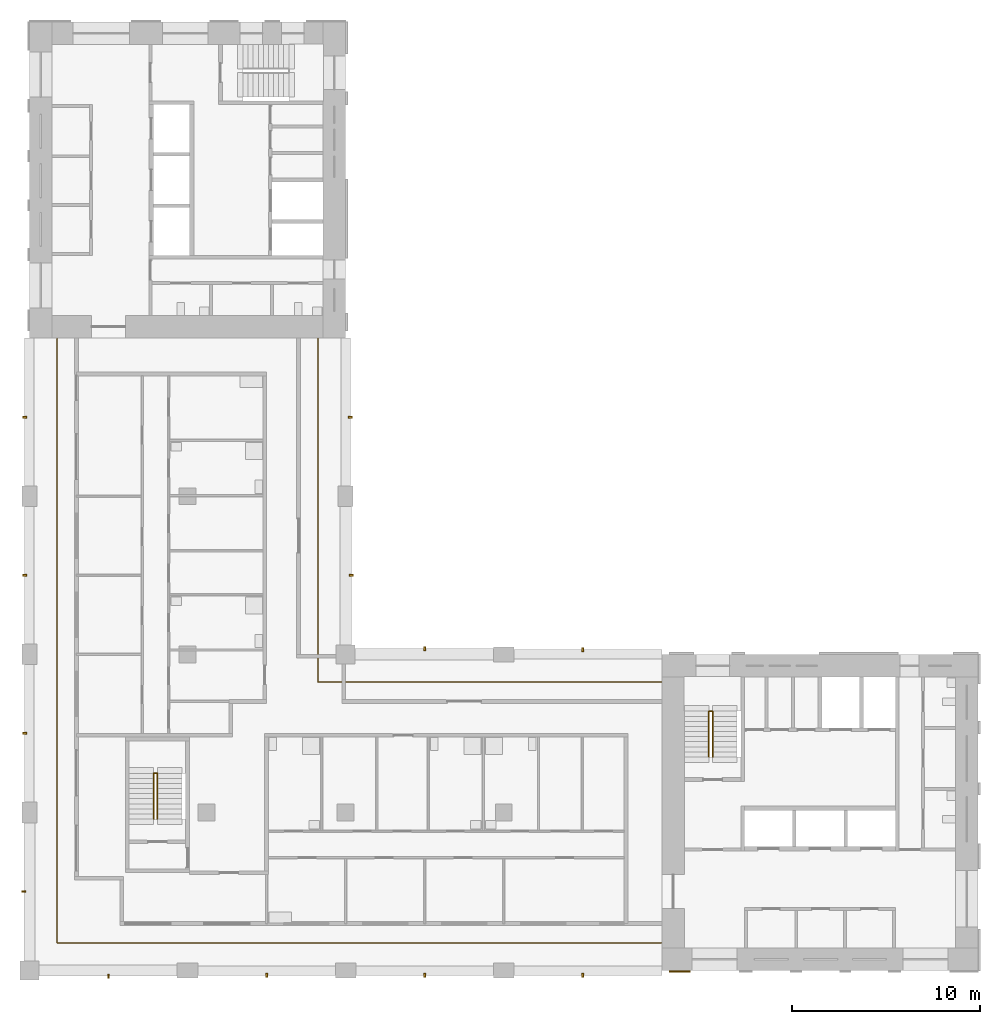
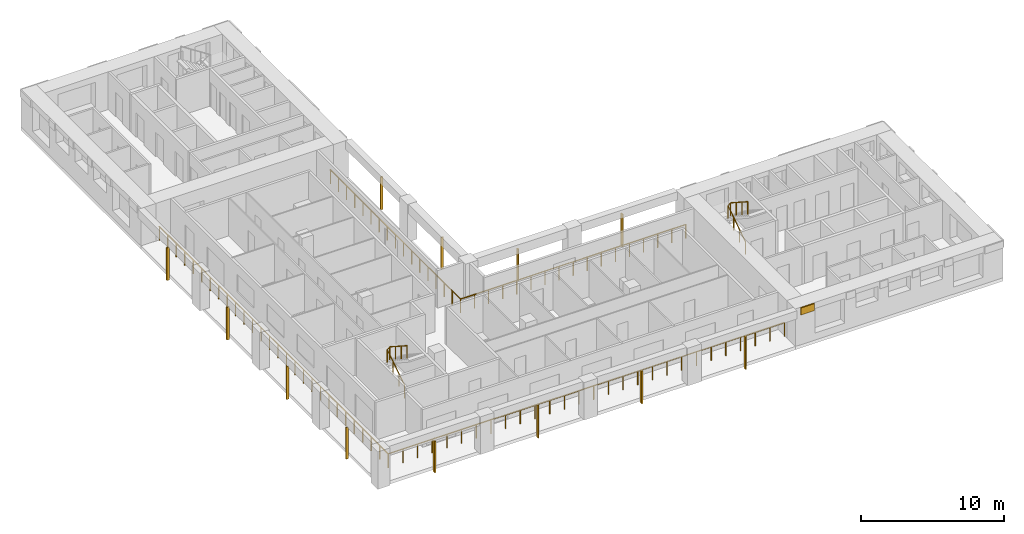
# One storey, part 8 of 10: 13 shading devices, 4 railings.
"""IFC4 building model written with IfcOpenShell, lengths in metres."""

from ifc_helpers import new_model, si_unit, direction, frame, origin, origin_2d, place, context, subcontext, project, spatial, rectangle, circle, extrude, material, layer, layer_set, material_profile, profile_set, type_object, element, save


model = new_model("IFC4")

# Units and contexts
model_context = context("Model", 3, precision=1e-05, world=origin(), true_north=direction((0.0, 1.0)))
body_context = subcontext(model_context, "Body", "Model", "MODEL_VIEW")
ifc_project = project(units=[si_unit("LENGTHUNIT", "METRE"), si_unit("AREAUNIT", "SQUARE_METRE"), si_unit("VOLUMEUNIT", "CUBIC_METRE"), si_unit("PLANEANGLEUNIT", "RADIAN"), si_unit("MASSUNIT", "GRAM", prefix="KILO")], contexts=[model_context])

# Site, building, storey
site_placement = place(None, origin())
site = spatial("IfcSite", under=ifc_project, at=site_placement, CompositionType="ELEMENT")
building_placement = place(site_placement, origin())
building = spatial("IfcBuilding", under=site, at=building_placement, Name="Vermilion Gate Residences", CompositionType="ELEMENT")
storey_placement = place(building_placement, frame((0.0, 0.0, 266.699951171875)))
storey = spatial("IfcBuildingStorey", under=building, at=storey_placement, Name="L70", CompositionType="ELEMENT", Elevation=266.699951171875)

# Railings
ifc_material_1 = material(Name="Stainless steel and toughened glass", Category="steel")
railing_type_1 = type_object("IfcRailingType", Name="LOGGIA GUARD STEEL AND GLASS 1200", PredefinedType="GUARDRAIL", material=ifc_material_1)
railing_1_placement = place(storey_placement, frame((41.97802734375, 23.72509765625, 0.0)))
element("IfcRailing", 1, at=railing_1_placement, inside=storey, type_object=railing_type_1, Name="Loggia guard", PredefinedType="GUARDRAIL", context=body_context, shape_type="SweptSolid", body=[
    extrude(circle(Radius=0.030029296875, at=origin_2d()), frame((0.0, 0.0, 1.169921875), z_axis=(-1.0, 0.0, 0.0), x_axis=(0.0, -1.0, 0.0)), (0.0, 0.0, 1.0), 18.2529296875),
    extrude(circle(Radius=0.030029296875, at=origin_2d()), frame((-18.2529296875, 0.0, 1.169921875), z_axis=(0.0, 1.0, 0.0), x_axis=(-1.0, 0.0, 0.0)), (0.0, 0.0, 1.0), 18.2529296875),
    extrude(circle(Radius=0.02490234375, at=origin_2d()), origin(), (0.0, 0.0, 1.0), 1.139892578125),
    extrude(circle(Radius=0.02490234375, at=origin_2d()), frame((-1.140869140625, 0.0, 0.0)), (0.0, 0.0, 1.0), 1.139892578125),
    extrude(circle(Radius=0.02490234375, at=origin_2d()), frame((-2.28173828125, 0.0, 0.0)), (0.0, 0.0, 1.0), 1.139892578125),
    extrude(circle(Radius=0.02490234375, at=origin_2d()), frame((-3.42236328125, 0.0, 0.0)), (0.0, 0.0, 1.0), 1.139892578125),
    extrude(circle(Radius=0.02490234375, at=origin_2d()), frame((-4.563232421875, 0.0, 0.0)), (0.0, 0.0, 1.0), 1.139892578125),
    extrude(circle(Radius=0.02490234375, at=origin_2d()), frame((-5.7041015625, 0.0, 0.0)), (0.0, 0.0, 1.0), 1.139892578125),
    extrude(circle(Radius=0.02490234375, at=origin_2d()), frame((-6.8447265625, 0.0, 0.0)), (0.0, 0.0, 1.0), 1.139892578125),
    extrude(circle(Radius=0.02490234375, at=origin_2d()), frame((-7.985595703125, 0.0, 0.0)), (0.0, 0.0, 1.0), 1.139892578125),
    extrude(circle(Radius=0.02490234375, at=origin_2d()), frame((-9.12646484375, 0.0, 0.0)), (0.0, 0.0, 1.0), 1.139892578125),
    extrude(circle(Radius=0.02490234375, at=origin_2d()), frame((-10.267333984375, 0.0, 0.0)), (0.0, 0.0, 1.0), 1.139892578125),
    extrude(circle(Radius=0.02490234375, at=origin_2d()), frame((-11.408203125, 0.0, 0.0)), (0.0, 0.0, 1.0), 1.139892578125),
    extrude(circle(Radius=0.02490234375, at=origin_2d()), frame((-12.548828125, 0.0, 0.0)), (0.0, 0.0, 1.0), 1.139892578125),
    extrude(circle(Radius=0.02490234375, at=origin_2d()), frame((-13.689697265625, 0.0, 0.0)), (0.0, 0.0, 1.0), 1.139892578125),
    extrude(circle(Radius=0.02490234375, at=origin_2d()), frame((-14.83056640625, 0.0, 0.0)), (0.0, 0.0, 1.0), 1.139892578125),
    extrude(circle(Radius=0.02490234375, at=origin_2d()), frame((-15.97119140625, 0.0, 0.0)), (0.0, 0.0, 1.0), 1.139892578125),
    extrude(circle(Radius=0.02490234375, at=origin_2d()), frame((-17.112060546875, 0.0, 0.0)), (0.0, 0.0, 1.0), 1.139892578125),
    extrude(circle(Radius=0.02490234375, at=origin_2d()), frame((-18.2529296875, 0.0, 0.0)), (0.0, 0.0, 1.0), 1.139892578125),
    extrude(circle(Radius=0.02490234375, at=origin_2d()), frame((-18.2529296875, 1.140869140625, 0.0)), (0.0, 0.0, 1.0), 1.139892578125),
    extrude(circle(Radius=0.02490234375, at=origin_2d()), frame((-18.2529296875, 2.28173828125, 0.0)), (0.0, 0.0, 1.0), 1.139892578125),
    extrude(circle(Radius=0.02490234375, at=origin_2d()), frame((-18.2529296875, 3.42236328125, 0.0)), (0.0, 0.0, 1.0), 1.139892578125),
    extrude(circle(Radius=0.02490234375, at=origin_2d()), frame((-18.2529296875, 4.563232421875, 0.0)), (0.0, 0.0, 1.0), 1.139892578125),
    extrude(circle(Radius=0.02490234375, at=origin_2d()), frame((-18.2529296875, 5.7041015625, 0.0)), (0.0, 0.0, 1.0), 1.139892578125),
    extrude(circle(Radius=0.02490234375, at=origin_2d()), frame((-18.2529296875, 6.8447265625, 0.0)), (0.0, 0.0, 1.0), 1.139892578125),
    extrude(circle(Radius=0.02490234375, at=origin_2d()), frame((-18.2529296875, 7.985595703125, 0.0)), (0.0, 0.0, 1.0), 1.139892578125),
    extrude(circle(Radius=0.02490234375, at=origin_2d()), frame((-18.2529296875, 9.12646484375, 0.0)), (0.0, 0.0, 1.0), 1.139892578125),
    extrude(circle(Radius=0.02490234375, at=origin_2d()), frame((-18.2529296875, 10.267333984375, 0.0)), (0.0, 0.0, 1.0), 1.139892578125),
    extrude(circle(Radius=0.02490234375, at=origin_2d()), frame((-18.2529296875, 11.408203125, 0.0)), (0.0, 0.0, 1.0), 1.139892578125),
    extrude(circle(Radius=0.02490234375, at=origin_2d()), frame((-18.2529296875, 12.548828125, 0.0)), (0.0, 0.0, 1.0), 1.139892578125),
    extrude(circle(Radius=0.02490234375, at=origin_2d()), frame((-18.2529296875, 13.689697265625, 0.0)), (0.0, 0.0, 1.0), 1.139892578125),
    extrude(circle(Radius=0.02490234375, at=origin_2d()), frame((-18.2529296875, 14.83056640625, 0.0)), (0.0, 0.0, 1.0), 1.139892578125),
    extrude(circle(Radius=0.02490234375, at=origin_2d()), frame((-18.2529296875, 15.97119140625, 0.0)), (0.0, 0.0, 1.0), 1.139892578125),
    extrude(circle(Radius=0.02490234375, at=origin_2d()), frame((-18.2529296875, 17.112060546875, 0.0)), (0.0, 0.0, 1.0), 1.139892578125),
    extrude(circle(Radius=0.02490234375, at=origin_2d()), frame((-18.2529296875, 18.2529296875, 0.0)), (0.0, 0.0, 1.0), 1.139892578125),
])
railing_2_placement = place(storey_placement, frame((9.875, 41.97802734375, 0.0)))
element("IfcRailing", 2, at=railing_2_placement, inside=storey, type_object=railing_type_1, Name="Loggia guard", PredefinedType="GUARDRAIL", context=body_context, shape_type="SweptSolid", body=[
    extrude(circle(Radius=0.030029296875, at=origin_2d()), frame((0.0, 0.0, 1.169921875), z_axis=(0.0, -1.0, 0.0), x_axis=(1.0, 0.0, 0.0)), (0.0, 0.0, 1.0), 32.10302734375),
    extrude(circle(Radius=0.030029296875, at=origin_2d()), frame((0.0, -32.10302734375, 1.169921875), z_axis=(1.0, 0.0, 0.0), x_axis=(0.0, 1.0, 0.0)), (0.0, 0.0, 1.0), 32.10302734375),
    extrude(circle(Radius=0.02490234375, at=origin_2d()), origin(), (0.0, 0.0, 1.0), 1.139892578125),
    extrude(circle(Radius=0.02490234375, at=origin_2d()), frame((0.0, -1.18896484375, 0.0)), (0.0, 0.0, 1.0), 1.139892578125),
    extrude(circle(Radius=0.02490234375, at=origin_2d()), frame((0.0, -2.3779296875, 0.0)), (0.0, 0.0, 1.0), 1.139892578125),
    extrude(circle(Radius=0.02490234375, at=origin_2d()), frame((0.0, -3.56689453125, 0.0)), (0.0, 0.0, 1.0), 1.139892578125),
    extrude(circle(Radius=0.02490234375, at=origin_2d()), frame((0.0, -4.756103515625, 0.0)), (0.0, 0.0, 1.0), 1.139892578125),
    extrude(circle(Radius=0.02490234375, at=origin_2d()), frame((0.0, -5.945068359375, 0.0)), (0.0, 0.0, 1.0), 1.139892578125),
    extrude(circle(Radius=0.02490234375, at=origin_2d()), frame((0.0, -7.134033203125, 0.0)), (0.0, 0.0, 1.0), 1.139892578125),
    extrude(circle(Radius=0.02490234375, at=origin_2d()), frame((0.0, -8.322998046875, 0.0)), (0.0, 0.0, 1.0), 1.139892578125),
    extrude(circle(Radius=0.02490234375, at=origin_2d()), frame((0.0, -9.511962890625, 0.0)), (0.0, 0.0, 1.0), 1.139892578125),
    extrude(circle(Radius=0.02490234375, at=origin_2d()), frame((0.0, -10.700927734375, 0.0)), (0.0, 0.0, 1.0), 1.139892578125),
    extrude(circle(Radius=0.02490234375, at=origin_2d()), frame((0.0, -11.889892578125, 0.0)), (0.0, 0.0, 1.0), 1.139892578125),
    extrude(circle(Radius=0.02490234375, at=origin_2d()), frame((0.0, -13.0791015625, 0.0)), (0.0, 0.0, 1.0), 1.139892578125),
    extrude(circle(Radius=0.02490234375, at=origin_2d()), frame((0.0, -14.26806640625, 0.0)), (0.0, 0.0, 1.0), 1.139892578125),
    extrude(circle(Radius=0.02490234375, at=origin_2d()), frame((0.0, -15.45703125, 0.0)), (0.0, 0.0, 1.0), 1.139892578125),
    extrude(circle(Radius=0.02490234375, at=origin_2d()), frame((0.0, -16.64599609375, 0.0)), (0.0, 0.0, 1.0), 1.139892578125),
    extrude(circle(Radius=0.02490234375, at=origin_2d()), frame((0.0, -17.8349609375, 0.0)), (0.0, 0.0, 1.0), 1.139892578125),
    extrude(circle(Radius=0.02490234375, at=origin_2d()), frame((0.0, -19.02392578125, 0.0)), (0.0, 0.0, 1.0), 1.139892578125),
    extrude(circle(Radius=0.02490234375, at=origin_2d()), frame((0.0, -20.213134765625, 0.0)), (0.0, 0.0, 1.0), 1.139892578125),
    extrude(circle(Radius=0.02490234375, at=origin_2d()), frame((0.0, -21.402099609375, 0.0)), (0.0, 0.0, 1.0), 1.139892578125),
    extrude(circle(Radius=0.02490234375, at=origin_2d()), frame((0.0, -22.591064453125, 0.0)), (0.0, 0.0, 1.0), 1.139892578125),
    extrude(circle(Radius=0.02490234375, at=origin_2d()), frame((0.0, -23.780029296875, 0.0)), (0.0, 0.0, 1.0), 1.139892578125),
    extrude(circle(Radius=0.02490234375, at=origin_2d()), frame((0.0, -24.968994140625, 0.0)), (0.0, 0.0, 1.0), 1.139892578125),
    extrude(circle(Radius=0.02490234375, at=origin_2d()), frame((0.0, -26.157958984375, 0.0)), (0.0, 0.0, 1.0), 1.139892578125),
    extrude(circle(Radius=0.02490234375, at=origin_2d()), frame((0.0, -27.346923828125, 0.0)), (0.0, 0.0, 1.0), 1.139892578125),
    extrude(circle(Radius=0.02490234375, at=origin_2d()), frame((0.0, -28.5361328125, 0.0)), (0.0, 0.0, 1.0), 1.139892578125),
    extrude(circle(Radius=0.02490234375, at=origin_2d()), frame((0.0, -29.72509765625, 0.0)), (0.0, 0.0, 1.0), 1.139892578125),
    extrude(circle(Radius=0.02490234375, at=origin_2d()), frame((0.0, -30.9140625, 0.0)), (0.0, 0.0, 1.0), 1.139892578125),
    extrude(circle(Radius=0.02490234375, at=origin_2d()), frame((0.0, -32.10302734375, 0.0)), (0.0, 0.0, 1.0), 1.139892578125),
    extrude(circle(Radius=0.02490234375, at=origin_2d()), frame((1.18896484375, -32.10302734375, 0.0)), (0.0, 0.0, 1.0), 1.139892578125),
    extrude(circle(Radius=0.02490234375, at=origin_2d()), frame((2.3779296875, -32.10302734375, 0.0)), (0.0, 0.0, 1.0), 1.139892578125),
    extrude(circle(Radius=0.02490234375, at=origin_2d()), frame((3.56689453125, -32.10302734375, 0.0)), (0.0, 0.0, 1.0), 1.139892578125),
    extrude(circle(Radius=0.02490234375, at=origin_2d()), frame((4.756103515625, -32.10302734375, 0.0)), (0.0, 0.0, 1.0), 1.139892578125),
    extrude(circle(Radius=0.02490234375, at=origin_2d()), frame((5.945068359375, -32.10302734375, 0.0)), (0.0, 0.0, 1.0), 1.139892578125),
    extrude(circle(Radius=0.02490234375, at=origin_2d()), frame((7.134033203125, -32.10302734375, 0.0)), (0.0, 0.0, 1.0), 1.139892578125),
    extrude(circle(Radius=0.02490234375, at=origin_2d()), frame((8.322998046875, -32.10302734375, 0.0)), (0.0, 0.0, 1.0), 1.139892578125),
    extrude(circle(Radius=0.02490234375, at=origin_2d()), frame((9.511962890625, -32.10302734375, 0.0)), (0.0, 0.0, 1.0), 1.139892578125),
    extrude(circle(Radius=0.02490234375, at=origin_2d()), frame((10.700927734375, -32.10302734375, 0.0)), (0.0, 0.0, 1.0), 1.139892578125),
    extrude(circle(Radius=0.02490234375, at=origin_2d()), frame((11.889892578125, -32.10302734375, 0.0)), (0.0, 0.0, 1.0), 1.139892578125),
    extrude(circle(Radius=0.02490234375, at=origin_2d()), frame((13.0791015625, -32.10302734375, 0.0)), (0.0, 0.0, 1.0), 1.139892578125),
    extrude(circle(Radius=0.02490234375, at=origin_2d()), frame((14.26806640625, -32.10302734375, 0.0)), (0.0, 0.0, 1.0), 1.139892578125),
    extrude(circle(Radius=0.02490234375, at=origin_2d()), frame((15.45703125, -32.10302734375, 0.0)), (0.0, 0.0, 1.0), 1.139892578125),
    extrude(circle(Radius=0.02490234375, at=origin_2d()), frame((16.64599609375, -32.10302734375, 0.0)), (0.0, 0.0, 1.0), 1.139892578125),
    extrude(circle(Radius=0.02490234375, at=origin_2d()), frame((17.8349609375, -32.10302734375, 0.0)), (0.0, 0.0, 1.0), 1.139892578125),
    extrude(circle(Radius=0.02490234375, at=origin_2d()), frame((19.02392578125, -32.10302734375, 0.0)), (0.0, 0.0, 1.0), 1.139892578125),
    extrude(circle(Radius=0.02490234375, at=origin_2d()), frame((20.213134765625, -32.10302734375, 0.0)), (0.0, 0.0, 1.0), 1.139892578125),
    extrude(circle(Radius=0.02490234375, at=origin_2d()), frame((21.402099609375, -32.10302734375, 0.0)), (0.0, 0.0, 1.0), 1.139892578125),
    extrude(circle(Radius=0.02490234375, at=origin_2d()), frame((22.591064453125, -32.10302734375, 0.0)), (0.0, 0.0, 1.0), 1.139892578125),
    extrude(circle(Radius=0.02490234375, at=origin_2d()), frame((23.780029296875, -32.10302734375, 0.0)), (0.0, 0.0, 1.0), 1.139892578125),
    extrude(circle(Radius=0.02490234375, at=origin_2d()), frame((24.968994140625, -32.10302734375, 0.0)), (0.0, 0.0, 1.0), 1.139892578125),
    extrude(circle(Radius=0.02490234375, at=origin_2d()), frame((26.157958984375, -32.10302734375, 0.0)), (0.0, 0.0, 1.0), 1.139892578125),
    extrude(circle(Radius=0.02490234375, at=origin_2d()), frame((27.346923828125, -32.10302734375, 0.0)), (0.0, 0.0, 1.0), 1.139892578125),
    extrude(circle(Radius=0.02490234375, at=origin_2d()), frame((28.5361328125, -32.10302734375, 0.0)), (0.0, 0.0, 1.0), 1.139892578125),
    extrude(circle(Radius=0.02490234375, at=origin_2d()), frame((29.72509765625, -32.10302734375, 0.0)), (0.0, 0.0, 1.0), 1.139892578125),
    extrude(circle(Radius=0.02490234375, at=origin_2d()), frame((30.9140625, -32.10302734375, 0.0)), (0.0, 0.0, 1.0), 1.139892578125),
    extrude(circle(Radius=0.02490234375, at=origin_2d()), frame((32.10302734375, -32.10302734375, 0.0)), (0.0, 0.0, 1.0), 1.139892578125),
])
ifc_material_2 = material(Name="Steel S355", Category="steel")
railing_type_2 = type_object("IfcRailingType", Name="STAIR GUARD 1100 STEEL", PredefinedType="GUARDRAIL", material=ifc_material_2)
for number, where, name in (
    (3, (44.5, 19.75, 0.175048828125), "Stair well guard STA1-70"),
    (4, (15.0, 16.449951171875, 0.175048828125), "Stair well guard STC1-70"),
):
    element("IfcRailing", number, at=place(storey_placement, frame(where)), inside=storey, type_object=railing_type_2, Name=name, PredefinedType="GUARDRAIL", context=body_context, shape_type="SweptSolid", body=[
        extrude(circle(Radius=0.02392578125, at=origin_2d()), frame((0.0, 0.0, 1.076171875), z_axis=(0.0, 0.839153699163, 0.543894354798), x_axis=(-1.0, 0.0, 0.0)), (0.0, 0.0, 1.0), 2.895751953125),
        extrude(circle(Radius=0.02392578125, at=origin_2d()), frame((0.0, 2.429931640625, 2.65087890625), z_axis=(0.752405939678, 0.0, 0.658699705433), x_axis=(0.0, 1.0, 0.0)), (0.0, 0.0, 1.0), 0.265869140625),
        extrude(circle(Radius=0.02392578125, at=origin_2d()), frame((0.199951171875, 2.429931640625, 2.826171875), z_axis=(0.0, -0.839153699163, 0.543894354798), x_axis=(1.0, 0.0, 0.0)), (0.0, 0.0, 1.0), 2.895751953125),
        extrude(circle(Radius=0.02099609375, at=origin_2d()), origin(), (0.0, 0.0, 1.0), 1.052001953125),
        extrude(circle(Radius=0.02099609375, at=origin_2d()), frame((0.0, 0.81005859375, 0.52490234375)), (0.0, 0.0, 1.0), 1.052001953125),
        extrude(circle(Radius=0.02099609375, at=origin_2d()), frame((0.0, 1.619873046875, 1.050048828125)), (0.0, 0.0, 1.0), 1.052001953125),
        extrude(circle(Radius=0.02099609375, at=origin_2d()), frame((0.0, 2.429931640625, 1.574951171875)), (0.0, 0.0, 1.0), 1.052001953125),
        extrude(circle(Radius=0.02099609375, at=origin_2d()), frame((0.199951171875, 2.429931640625, 1.75)), (0.0, 0.0, 1.0), 1.052001953125),
        extrude(circle(Radius=0.02099609375, at=origin_2d()), frame((0.199951171875, 1.619873046875, 2.27490234375)), (0.0, 0.0, 1.0), 1.052001953125),
        extrude(circle(Radius=0.02099609375, at=origin_2d()), frame((0.199951171875, 0.81005859375, 2.800048828125)), (0.0, 0.0, 1.0), 1.052001953125),
        extrude(circle(Radius=0.02099609375, at=origin_2d()), frame((0.199951171875, 0.0, 3.324951171875)), (0.0, 0.0, 1.0), 1.052001953125),
    ])

# Shading devices
ifc_material_3 = material(Name="Extruded terracotta", Category="masonry")
ifc_material_profile = material_profile(ifc_material_3, rectangle(XDim=0.199951171875, YDim=0.10009765625, at=origin_2d()), Name="BAGUETTE 100 X 200")
ifc_profile_set = profile_set([ifc_material_profile], Name="Extruded terracotta")
shading_device_type_1 = type_object("IfcShadingDeviceType", Name="TERRACOTTA BAGUETTE 100 X 200", PredefinedType="JALOUSIE", material=ifc_profile_set)
shading_device_1_placement = place(storey_placement, frame((12.60009765625, 8.10009765625, -0.280029296875), z_axis=(0.0, 0.0, 1.0), x_axis=(0.0, 1.0, 0.0)))
element("IfcShadingDevice", 5, at=shading_device_1_placement, inside=storey, type_object=shading_device_type_1, Name="BAGUETTE", PredefinedType="JALOUSIE", context=body_context, shape_type="SweptSolid", body=[
    extrude(rectangle(XDim=0.199951171875, YDim=0.10009765625, at=origin_2d()), origin(), (0.0, 0.0, 1.0), 2.7001953125),
])
for number, where, z_axis, x_axis, name in (
    (6, (21.0, 8.14990234375, -0.280029296875), (0.0, 0.0, 1.0), (0.0, 1.0, 0.0), "BAGUETTE"),
    (7, (29.39990234375, 8.14990234375, -0.280029296875), (0.0, 0.0, 1.0), (0.0, 1.0, 0.0), "BAGUETTE"),
    (8, (37.800048828125, 8.14990234375, -0.280029296875), (0.0, 0.0, 1.0), (0.0, 1.0, 0.0), "BAGUETTE"),
):
    element("IfcShadingDevice", number, at=place(storey_placement, frame(where, z_axis=z_axis, x_axis=x_axis)), inside=storey, type_object=shading_device_type_1, Name=name, PredefinedType="JALOUSIE", context=body_context, shape_type="SweptSolid", body=[
        extrude(rectangle(XDim=0.199951171875, YDim=0.10009765625, at=origin_2d()), origin(), (0.0, 0.0, 1.0), 2.800048828125),
    ])
shading_device_2_placement = place(storey_placement, frame((29.39990234375, 25.5, -0.280029296875), z_axis=(0.0, 0.0, 1.0), x_axis=(0.0, -1.0, 0.0)))
element("IfcShadingDevice", 9, at=shading_device_2_placement, inside=storey, type_object=shading_device_type_1, Name="BAGUETTE", PredefinedType="JALOUSIE", context=body_context, shape_type="SweptSolid", body=[
    extrude(rectangle(XDim=0.199951171875, YDim=0.10009765625, at=origin_2d()), origin(), (0.0, 0.0, 1.0), 2.7001953125),
])
shading_device_3_placement = place(storey_placement, frame((37.800048828125, 25.449951171875, -0.280029296875), z_axis=(0.0, 0.0, 1.0), x_axis=(0.0, -1.0, 0.0)))
element("IfcShadingDevice", 10, at=shading_device_3_placement, inside=storey, type_object=shading_device_type_1, Name="BAGUETTE", PredefinedType="JALOUSIE", context=body_context, shape_type="SweptSolid", body=[
    extrude(rectangle(XDim=0.199951171875, YDim=0.10009765625, at=origin_2d()), origin(), (0.0, 0.0, 1.0), 2.800048828125),
])
shading_device_4_placement = place(storey_placement, frame((25.5, 29.39990234375, -0.280029296875), z_axis=(0.0, 0.0, 1.0), x_axis=(-1.0, 0.0, 0.0)))
element("IfcShadingDevice", 11, at=shading_device_4_placement, inside=storey, type_object=shading_device_type_1, Name="BAGUETTE", PredefinedType="JALOUSIE", context=body_context, shape_type="SweptSolid", body=[
    extrude(rectangle(XDim=0.199951171875, YDim=0.10009765625, at=origin_2d()), origin(), (0.0, 0.0, 1.0), 2.7001953125),
])
shading_device_5_placement = place(storey_placement, frame((25.449951171875, 37.800048828125, -0.280029296875), z_axis=(0.0, 0.0, 1.0), x_axis=(-1.0, 0.0, 0.0)))
element("IfcShadingDevice", 12, at=shading_device_5_placement, inside=storey, type_object=shading_device_type_1, Name="BAGUETTE", PredefinedType="JALOUSIE", context=body_context, shape_type="SweptSolid", body=[
    extrude(rectangle(XDim=0.199951171875, YDim=0.10009765625, at=origin_2d()), origin(), (0.0, 0.0, 1.0), 2.800048828125),
])
shading_device_6_placement = place(storey_placement, frame((8.10009765625, 12.60009765625, -0.280029296875), z_axis=(0.0, 0.0, 1.0), x_axis=(1.0, 0.0, 0.0)))
element("IfcShadingDevice", 13, at=shading_device_6_placement, inside=storey, type_object=shading_device_type_1, Name="BAGUETTE", PredefinedType="JALOUSIE", context=body_context, shape_type="SweptSolid", body=[
    extrude(rectangle(XDim=0.199951171875, YDim=0.10009765625, at=origin_2d()), origin(), (0.0, 0.0, 1.0), 2.7001953125),
])
for number, where, z_axis, x_axis, name in (
    (14, (8.14990234375, 21.0, -0.280029296875), (0.0, 0.0, 1.0), (1.0, 0.0, 0.0), "BAGUETTE"),
    (15, (8.14990234375, 29.39990234375, -0.280029296875), (0.0, 0.0, 1.0), (1.0, 0.0, 0.0), "BAGUETTE"),
    (16, (8.14990234375, 37.800048828125, -0.280029296875), (0.0, 0.0, 1.0), (1.0, 0.0, 0.0), "BAGUETTE"),
):
    element("IfcShadingDevice", number, at=place(storey_placement, frame(where, z_axis=z_axis, x_axis=x_axis)), inside=storey, type_object=shading_device_type_1, Name=name, PredefinedType="JALOUSIE", context=body_context, shape_type="SweptSolid", body=[
        extrude(rectangle(XDim=0.199951171875, YDim=0.10009765625, at=origin_2d()), origin(), (0.0, 0.0, 1.0), 2.800048828125),
    ])
ifc_material_4 = material(Name="Extruded terracotta", Category="masonry")
ifc_layer = layer(ifc_material_4, 0.10009765625)
ifc_layer_set = layer_set([ifc_layer], Name="TERRACOTTA SPANDREL BAND 600 X 100")
shading_device_type_2 = type_object("IfcShadingDeviceType", Name="TERRACOTTA SPANDREL BAND 600 X 100", PredefinedType="USERDEFINED", material=ifc_layer_set)
shading_device_7_placement = place(storey_placement, frame((42.949951171875, 8.35009765625, 2.6201171875), z_axis=(0.0, 0.0, 1.0), x_axis=(1.0, 0.0, 0.0)))
element("IfcShadingDevice", 17, at=shading_device_7_placement, inside=storey, type_object=shading_device_type_2, Name="SPANDREL BAND", ObjectType="BAND", PredefinedType="USERDEFINED", context=body_context, shape_type="SweptSolid", body=[
    extrude(rectangle(XDim=1.10009765625, YDim=0.10009765625, at=origin_2d()), origin(), (0.0, 0.0, 1.0), 0.60009765625),
])

save(model, "model.ifc")
